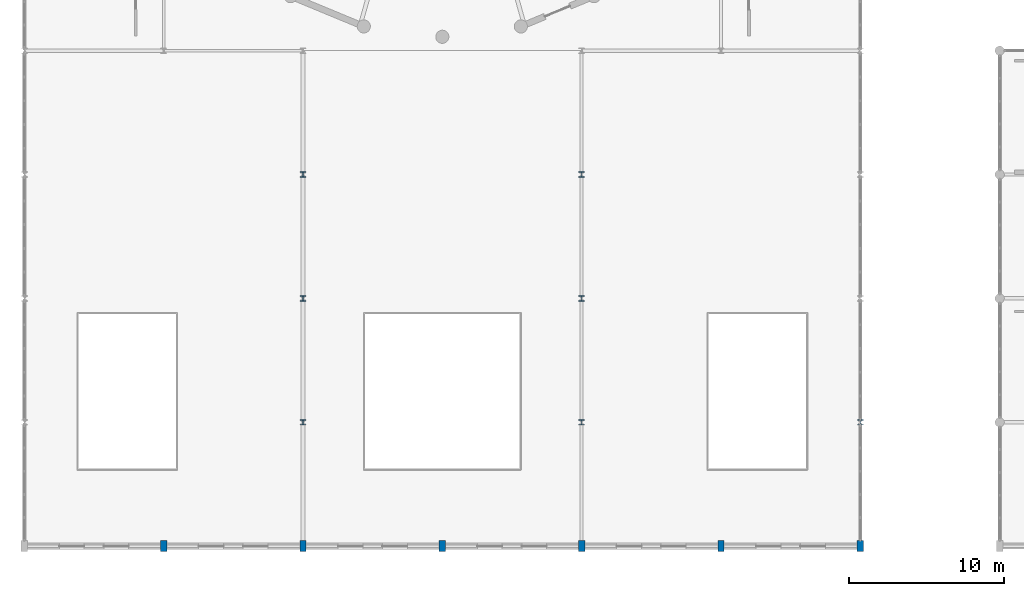
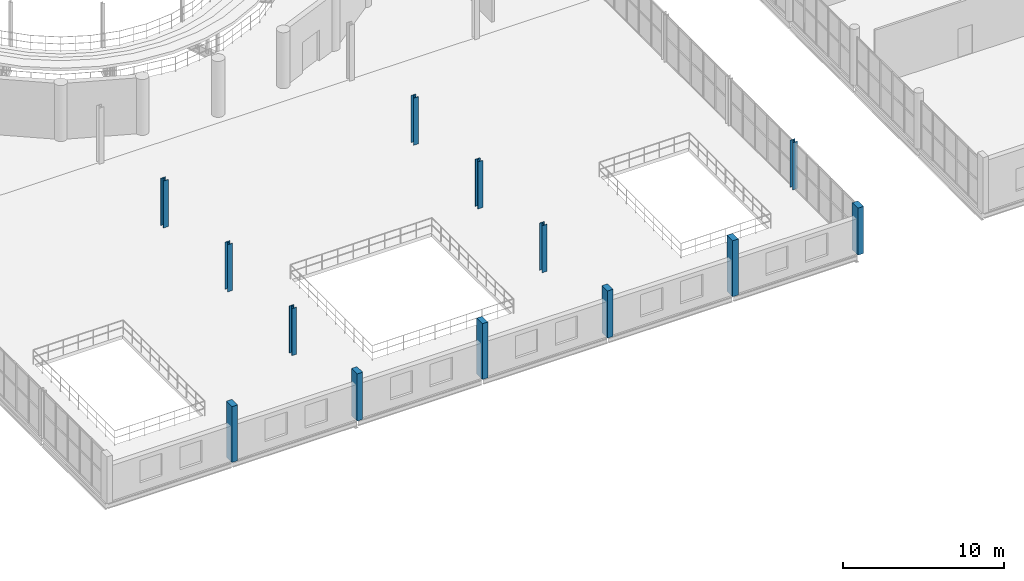
# One storey, part 5 of 73: 13 columns.
"""IFC4 building model written with IfcOpenShell, lengths in metres."""

from ifc_helpers import new_model, si_unit, direction, frame, origin, origin_2d, place, context, subcontext, project, spatial, rectangle, i_section, extrude, material, material_profile, profile_set, type_object, element, save


model = new_model("IFC4")

# Units and contexts
model_context = context("Model", 3, precision=1e-05, world=origin(), true_north=direction((0.0, 1.0)))
body_context = subcontext(model_context, "Body", "Model", "MODEL_VIEW")
ifc_project = project(units=[si_unit("LENGTHUNIT", "METRE"), si_unit("AREAUNIT", "SQUARE_METRE"), si_unit("VOLUMEUNIT", "CUBIC_METRE"), si_unit("PLANEANGLEUNIT", "RADIAN"), si_unit("MASSUNIT", "GRAM", prefix="KILO")], contexts=[model_context])

# Site, building, storey
site_placement = place(None, origin())
site = spatial("IfcSite", under=ifc_project, at=site_placement, CompositionType="ELEMENT")
building_placement = place(site_placement, origin())
building = spatial("IfcBuilding", under=site, at=building_placement, Name="Marnock Terrace Opera House", CompositionType="ELEMENT")
storey_placement = place(building_placement, frame((0.0, 0.0, 14.699951171875)))
storey = spatial("IfcBuildingStorey", under=building, at=storey_placement, Name="L03", CompositionType="ELEMENT", Elevation=14.699951171875)

# Columns
ifc_material_1 = material(Name="Concrete N40 (f'c = 40 MPa)", Category="concrete")
ifc_material_profile_1 = material_profile(ifc_material_1, rectangle(XDim=0.39990234375, YDim=0.699951171875, at=origin_2d()))
ifc_profile_set_1 = profile_set([ifc_material_profile_1], Name="Concrete N40 (f'c = 40 MPa)")
column_type_1 = type_object("IfcColumnType", Name="COL-PIL-700", PredefinedType="PILASTER", material=ifc_profile_set_1)
column_1_placement = place(storey_placement, frame((64.0, 8.0, 0.0), z_axis=(0.0, 0.0, 1.0), x_axis=(1.0, 0.0, 0.0)))
element("IfcColumn", 1, at=column_1_placement, inside=storey, type_object=column_type_1, Name="L03 column at (64.0, 8.0)", PredefinedType="PILASTER", context=body_context, shape_type="SweptSolid", body=[
    extrude(rectangle(XDim=0.39990234375, YDim=0.699951171875, at=origin_2d()), origin(), (0.0, 0.0, 1.0), 4.25),
])
column_2_placement = place(storey_placement, frame((73.0, 8.0, 0.0), z_axis=(0.0, 0.0, 1.0), x_axis=(1.0, 0.0, 0.0)))
element("IfcColumn", 2, at=column_2_placement, inside=storey, type_object=column_type_1, Name="L03 column at (73.0, 8.0)", PredefinedType="PILASTER", context=body_context, shape_type="SweptSolid", body=[
    extrude(rectangle(XDim=0.39990234375, YDim=0.699951171875, at=origin_2d()), origin(), (0.0, 0.0, 1.0), 3.580078125),
])
column_3_placement = place(storey_placement, frame((82.0, 8.0, 0.0), z_axis=(0.0, 0.0, 1.0), x_axis=(1.0, 0.0, 0.0)))
element("IfcColumn", 3, at=column_3_placement, inside=storey, type_object=column_type_1, Name="L03 column at (82.0, 8.0)", PredefinedType="PILASTER", context=body_context, shape_type="SweptSolid", body=[
    extrude(rectangle(XDim=0.39990234375, YDim=0.699951171875, at=origin_2d()), origin(), (0.0, 0.0, 1.0), 4.25),
])
column_4_placement = place(storey_placement, frame((91.0, 8.0, 0.0), z_axis=(0.0, 0.0, 1.0), x_axis=(1.0, 0.0, 0.0)))
element("IfcColumn", 4, at=column_4_placement, inside=storey, type_object=column_type_1, Name="L03 column at (91.0, 8.0)", PredefinedType="PILASTER", context=body_context, shape_type="SweptSolid", body=[
    extrude(rectangle(XDim=0.39990234375, YDim=0.699951171875, at=origin_2d()), origin(), (0.0, 0.0, 1.0), 3.580078125),
])
column_5_placement = place(storey_placement, frame((100.0, 8.0, 0.0), z_axis=(0.0, 0.0, 1.0), x_axis=(1.0, 0.0, 0.0)))
element("IfcColumn", 5, at=column_5_placement, inside=storey, type_object=column_type_1, Name="L03 column at (100.0, 8.0)", PredefinedType="PILASTER", context=body_context, shape_type="SweptSolid", body=[
    extrude(rectangle(XDim=0.39990234375, YDim=0.699951171875, at=origin_2d()), origin(), (0.0, 0.0, 1.0), 4.25),
])
column_6_placement = place(storey_placement, frame((109.0, 8.0, 0.0), z_axis=(0.0, 0.0, 1.0), x_axis=(1.0, 0.0, 0.0)))
element("IfcColumn", 6, at=column_6_placement, inside=storey, type_object=column_type_1, Name="L03 column at (109.0, 8.0)", PredefinedType="PILASTER", context=body_context, shape_type="SweptSolid", body=[
    extrude(rectangle(XDim=0.39990234375, YDim=0.699951171875, at=origin_2d()), origin(), (0.0, 0.0, 1.0), 3.580078125),
])
ifc_material_2 = material(Name="Steel Grade 350 Welded (AS/NZS 3679.2)", Category="steel")
ifc_material_profile_2 = material_profile(ifc_material_2, i_section(OverallWidth=0.35009765625, OverallDepth=0.35009765625, WebThickness=0.01611328125, FlangeThickness=0.028076171875, at=origin_2d()))
ifc_profile_set_2 = profile_set([ifc_material_profile_2], Name="Steel Grade 350 Welded (AS/NZS 3679.2)")
column_type_2 = type_object("IfcColumnType", Name="COL-WC350", PredefinedType="COLUMN", material=ifc_profile_set_2)
for number, where, z_axis, x_axis, name in (
    (7, (73.0, 16.0, 0.0), (0.0, 0.0, 1.0), (1.0, 0.0, 0.0), "L03 column at (73.0, 16.0)"),
    (8, (73.0, 24.0, 0.0), (0.0, 0.0, 1.0), (1.0, 0.0, 0.0), "L03 column at (73.0, 24.0)"),
    (9, (73.0, 32.0, 0.0), (0.0, 0.0, 1.0), (1.0, 0.0, 0.0), "L03 column at (73.0, 32.0)"),
    (10, (91.0, 16.0, 0.0), (0.0, 0.0, 1.0), (1.0, 0.0, 0.0), "L03 column at (91.0, 16.0)"),
    (11, (91.0, 24.0, 0.0), (0.0, 0.0, 1.0), (1.0, 0.0, 0.0), "L03 column at (91.0, 24.0)"),
    (12, (91.0, 32.0, 0.0), (0.0, 0.0, 1.0), (1.0, 0.0, 0.0), "L03 column at (91.0, 32.0)"),
    (13, (109.0, 16.0, 0.0), (0.0, 0.0, 1.0), (1.0, 0.0, 0.0), "L03 column at (109.0, 16.0)"),
):
    element("IfcColumn", number, at=place(storey_placement, frame(where, z_axis=z_axis, x_axis=x_axis)), inside=storey, type_object=column_type_2, Name=name, PredefinedType="COLUMN", context=body_context, shape_type="SweptSolid", body=[
        extrude(i_section(OverallWidth=0.35009765625, OverallDepth=0.35009765625, WebThickness=0.01611328125, FlangeThickness=0.028076171875, at=origin_2d()), origin(), (0.0, 0.0, 1.0), 3.580078125),
    ])

save(model, "model.ifc")
